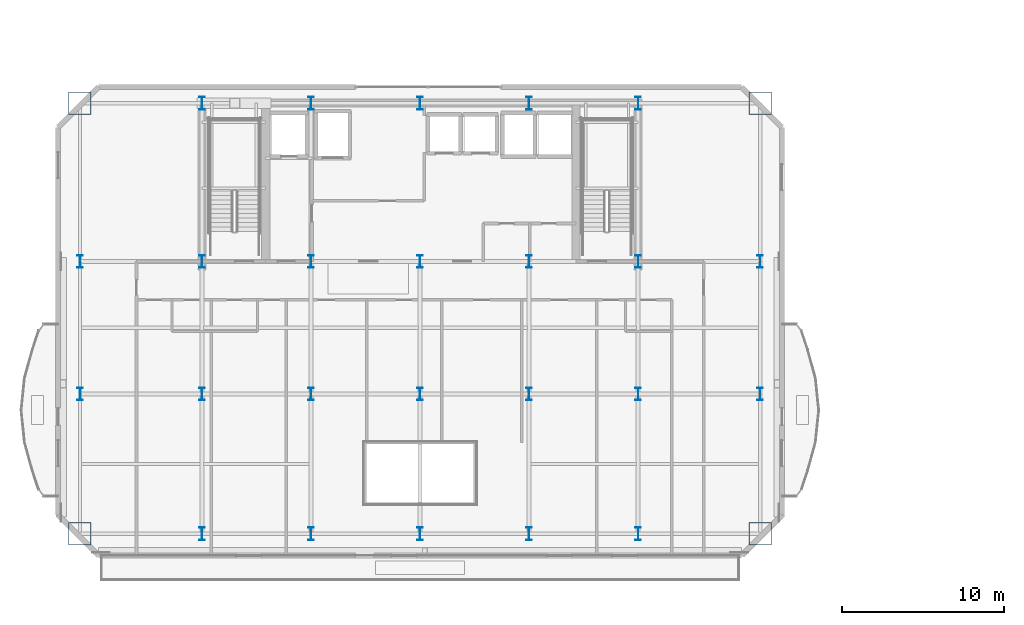
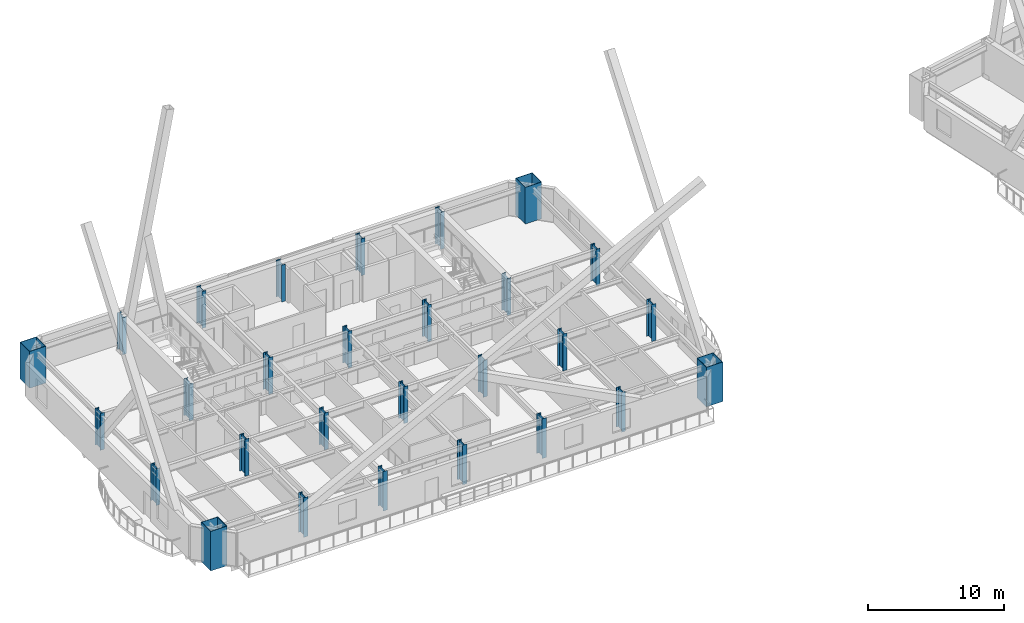
# One storey, part 1 of 22: 28 columns.
"""IFC4 building model written with IfcOpenShell, lengths in metres."""

from ifc_helpers import new_model, si_unit, direction, frame, origin, origin_2d, place, context, subcontext, project, spatial, hollow_rectangle, i_section, extrude, material, material_profile, profile_set, type_object, element, save


model = new_model("IFC4")

# Units and contexts
model_context = context("Model", 3, precision=1e-05, world=origin(), true_north=direction((0.0, 1.0)))
body_context = subcontext(model_context, "Body", "Model", "MODEL_VIEW")
ifc_project = project(units=[si_unit("LENGTHUNIT", "METRE"), si_unit("AREAUNIT", "SQUARE_METRE"), si_unit("VOLUMEUNIT", "CUBIC_METRE"), si_unit("PLANEANGLEUNIT", "RADIAN"), si_unit("MASSUNIT", "GRAM", prefix="KILO")], contexts=[model_context])

# Site, building, storey
site_placement = place(None, origin())
site = spatial("IfcSite", under=ifc_project, at=site_placement, CompositionType="ELEMENT")
building_placement = place(site_placement, origin())
building = spatial("IfcBuilding", under=site, at=building_placement, Name="Haevon Station Towers", CompositionType="ELEMENT")
storey_placement = place(building_placement, frame((0.0, 0.0, 113.10009765625)))
storey = spatial("IfcBuildingStorey", under=building, at=storey_placement, Name="L30", CompositionType="ELEMENT", Elevation=113.10009765625)

# Columns
ifc_material = material(Name="Steel S460", Category="steel")
ifc_material_profile_1 = material_profile(ifc_material, hollow_rectangle(XDim=1.39990234375, YDim=1.39990234375, WallThickness=0.035888671875, at=origin_2d()), Name="BOX-1400x1400x36")
ifc_profile_set_1 = profile_set([ifc_material_profile_1], Name="Steel S460")
column_type_1 = type_object("IfcColumnType", Name="COL-MC3", PredefinedType="COLUMN", material=ifc_profile_set_1)
column_1_placement = place(storey_placement, frame((16.449951171875, 21.35009765625, -0.25), z_axis=(0.0, 0.0, 1.0), x_axis=(1.0, 0.0, 0.0)))
element("IfcColumn", 1, at=column_1_placement, inside=storey, type_object=column_type_1, Name="COL-T1-L30-01-01", PredefinedType="COLUMN", context=body_context, shape_type="SweptSolid", body=[
    extrude(hollow_rectangle(XDim=1.39990234375, YDim=1.39990234375, WallThickness=0.035888671875, at=origin_2d()), origin(), (0.0, 0.0, 1.0), 3.5498046875),
])
column_2_placement = place(storey_placement, frame((16.449951171875, 48.0, 0.0), z_axis=(0.0, 0.0, 1.0), x_axis=(1.0, 0.0, 0.0)))
element("IfcColumn", 2, at=column_2_placement, inside=storey, type_object=column_type_1, Name="COL-T1-L30-01-04", PredefinedType="COLUMN", context=body_context, shape_type="SweptSolid", body=[
    extrude(hollow_rectangle(XDim=1.39990234375, YDim=1.39990234375, WallThickness=0.035888671875, at=origin_2d()), origin(), (0.0, 0.0, 1.0), 3.2998046875),
])
column_3_placement = place(storey_placement, frame((58.550048828125, 21.35009765625, -0.25), z_axis=(0.0, 0.0, 1.0), x_axis=(1.0, 0.0, 0.0)))
element("IfcColumn", 3, at=column_3_placement, inside=storey, type_object=column_type_1, Name="COL-T1-L30-07-01", PredefinedType="COLUMN", context=body_context, shape_type="SweptSolid", body=[
    extrude(hollow_rectangle(XDim=1.39990234375, YDim=1.39990234375, WallThickness=0.035888671875, at=origin_2d()), origin(), (0.0, 0.0, 1.0), 3.5498046875),
])
column_4_placement = place(storey_placement, frame((58.550048828125, 48.0, 0.0), z_axis=(0.0, 0.0, 1.0), x_axis=(1.0, 0.0, 0.0)))
element("IfcColumn", 4, at=column_4_placement, inside=storey, type_object=column_type_1, Name="COL-T1-L30-07-04", PredefinedType="COLUMN", context=body_context, shape_type="SweptSolid", body=[
    extrude(hollow_rectangle(XDim=1.39990234375, YDim=1.39990234375, WallThickness=0.035888671875, at=origin_2d()), origin(), (0.0, 0.0, 1.0), 3.2998046875),
])
ifc_material_profile_2 = material_profile(ifc_material, i_section(OverallWidth=0.35009765625, OverallDepth=0.800048828125, WebThickness=0.01806640625, FlangeThickness=0.031982421875, at=origin_2d()), Name="H-800x350x18x32")
ifc_profile_set_2 = profile_set([ifc_material_profile_2], Name="Steel S460")
column_type_2 = type_object("IfcColumnType", Name="COL-TW2", PredefinedType="COLUMN", material=ifc_profile_set_2)
for number, where, z_axis, x_axis, name in (
    (5, (16.449951171875, 30.0, 0.0), (0.0, 0.0, 1.0), (1.0, 0.0, 0.0), "COL-T1-L30-01-02"),
    (6, (16.449951171875, 38.199951171875, 0.0), (0.0, 0.0, 1.0), (1.0, 0.0, 0.0), "COL-T1-L30-01-03"),
):
    element("IfcColumn", number, at=place(storey_placement, frame(where, z_axis=z_axis, x_axis=x_axis)), inside=storey, type_object=column_type_2, Name=name, PredefinedType="COLUMN", context=body_context, shape_type="SweptSolid", body=[
        extrude(i_section(OverallWidth=0.35009765625, OverallDepth=0.800048828125, WebThickness=0.01806640625, FlangeThickness=0.031982421875, at=origin_2d()), origin(), (0.0, 0.0, 1.0), 3.2998046875),
    ])
column_5_placement = place(storey_placement, frame((24.0, 21.35009765625, -0.25), z_axis=(0.0, 0.0, 1.0), x_axis=(1.0, 0.0, 0.0)))
element("IfcColumn", 7, at=column_5_placement, inside=storey, type_object=column_type_2, Name="COL-T1-L30-02-01", PredefinedType="COLUMN", context=body_context, shape_type="SweptSolid", body=[
    extrude(i_section(OverallWidth=0.35009765625, OverallDepth=0.800048828125, WebThickness=0.01806640625, FlangeThickness=0.031982421875, at=origin_2d()), origin(), (0.0, 0.0, 1.0), 3.5498046875),
])
for number, where, z_axis, x_axis, name in (
    (8, (24.0, 30.0, 0.0), (0.0, 0.0, 1.0), (1.0, 0.0, 0.0), "COL-T1-L30-02-02"),
    (9, (24.0, 38.199951171875, 0.0), (0.0, 0.0, 1.0), (1.0, 0.0, 0.0), "COL-T1-L30-02-03"),
    (10, (24.0, 48.0, 0.0), (0.0, 0.0, 1.0), (1.0, 0.0, 0.0), "COL-T1-L30-02-04"),
):
    element("IfcColumn", number, at=place(storey_placement, frame(where, z_axis=z_axis, x_axis=x_axis)), inside=storey, type_object=column_type_2, Name=name, PredefinedType="COLUMN", context=body_context, shape_type="SweptSolid", body=[
        extrude(i_section(OverallWidth=0.35009765625, OverallDepth=0.800048828125, WebThickness=0.01806640625, FlangeThickness=0.031982421875, at=origin_2d()), origin(), (0.0, 0.0, 1.0), 3.2998046875),
    ])
column_6_placement = place(storey_placement, frame((30.75, 21.35009765625, -0.25), z_axis=(0.0, 0.0, 1.0), x_axis=(1.0, 0.0, 0.0)))
element("IfcColumn", 11, at=column_6_placement, inside=storey, type_object=column_type_2, Name="COL-T1-L30-03-01", PredefinedType="COLUMN", context=body_context, shape_type="SweptSolid", body=[
    extrude(i_section(OverallWidth=0.35009765625, OverallDepth=0.800048828125, WebThickness=0.01806640625, FlangeThickness=0.031982421875, at=origin_2d()), origin(), (0.0, 0.0, 1.0), 3.5498046875),
])
for number, where, z_axis, x_axis, name in (
    (12, (30.75, 30.0, 0.0), (0.0, 0.0, 1.0), (1.0, 0.0, 0.0), "COL-T1-L30-03-02"),
    (13, (30.75, 38.199951171875, 0.0), (0.0, 0.0, 1.0), (1.0, 0.0, 0.0), "COL-T1-L30-03-03"),
    (14, (30.75, 48.0, 0.0), (0.0, 0.0, 1.0), (1.0, 0.0, 0.0), "COL-T1-L30-03-04"),
):
    element("IfcColumn", number, at=place(storey_placement, frame(where, z_axis=z_axis, x_axis=x_axis)), inside=storey, type_object=column_type_2, Name=name, PredefinedType="COLUMN", context=body_context, shape_type="SweptSolid", body=[
        extrude(i_section(OverallWidth=0.35009765625, OverallDepth=0.800048828125, WebThickness=0.01806640625, FlangeThickness=0.031982421875, at=origin_2d()), origin(), (0.0, 0.0, 1.0), 3.2998046875),
    ])
column_7_placement = place(storey_placement, frame((37.5, 21.35009765625, -0.25), z_axis=(0.0, 0.0, 1.0), x_axis=(1.0, 0.0, 0.0)))
element("IfcColumn", 15, at=column_7_placement, inside=storey, type_object=column_type_2, Name="COL-T1-L30-04-01", PredefinedType="COLUMN", context=body_context, shape_type="SweptSolid", body=[
    extrude(i_section(OverallWidth=0.35009765625, OverallDepth=0.800048828125, WebThickness=0.01806640625, FlangeThickness=0.031982421875, at=origin_2d()), origin(), (0.0, 0.0, 1.0), 3.5498046875),
])
for number, where, z_axis, x_axis, name in (
    (16, (37.5, 30.0, 0.0), (0.0, 0.0, 1.0), (1.0, 0.0, 0.0), "COL-T1-L30-04-02"),
    (17, (37.5, 38.199951171875, 0.0), (0.0, 0.0, 1.0), (1.0, 0.0, 0.0), "COL-T1-L30-04-03"),
    (18, (37.5, 48.0, 0.0), (0.0, 0.0, 1.0), (1.0, 0.0, 0.0), "COL-T1-L30-04-04"),
):
    element("IfcColumn", number, at=place(storey_placement, frame(where, z_axis=z_axis, x_axis=x_axis)), inside=storey, type_object=column_type_2, Name=name, PredefinedType="COLUMN", context=body_context, shape_type="SweptSolid", body=[
        extrude(i_section(OverallWidth=0.35009765625, OverallDepth=0.800048828125, WebThickness=0.01806640625, FlangeThickness=0.031982421875, at=origin_2d()), origin(), (0.0, 0.0, 1.0), 3.2998046875),
    ])
column_8_placement = place(storey_placement, frame((44.25, 21.35009765625, -0.25), z_axis=(0.0, 0.0, 1.0), x_axis=(1.0, 0.0, 0.0)))
element("IfcColumn", 19, at=column_8_placement, inside=storey, type_object=column_type_2, Name="COL-T1-L30-05-01", PredefinedType="COLUMN", context=body_context, shape_type="SweptSolid", body=[
    extrude(i_section(OverallWidth=0.35009765625, OverallDepth=0.800048828125, WebThickness=0.01806640625, FlangeThickness=0.031982421875, at=origin_2d()), origin(), (0.0, 0.0, 1.0), 3.5498046875),
])
for number, where, z_axis, x_axis, name in (
    (20, (44.25, 30.0, 0.0), (0.0, 0.0, 1.0), (1.0, 0.0, 0.0), "COL-T1-L30-05-02"),
    (21, (44.25, 38.199951171875, 0.0), (0.0, 0.0, 1.0), (1.0, 0.0, 0.0), "COL-T1-L30-05-03"),
    (22, (44.25, 48.0, 0.0), (0.0, 0.0, 1.0), (1.0, 0.0, 0.0), "COL-T1-L30-05-04"),
):
    element("IfcColumn", number, at=place(storey_placement, frame(where, z_axis=z_axis, x_axis=x_axis)), inside=storey, type_object=column_type_2, Name=name, PredefinedType="COLUMN", context=body_context, shape_type="SweptSolid", body=[
        extrude(i_section(OverallWidth=0.35009765625, OverallDepth=0.800048828125, WebThickness=0.01806640625, FlangeThickness=0.031982421875, at=origin_2d()), origin(), (0.0, 0.0, 1.0), 3.2998046875),
    ])
column_9_placement = place(storey_placement, frame((51.0, 21.35009765625, -0.25), z_axis=(0.0, 0.0, 1.0), x_axis=(1.0, 0.0, 0.0)))
element("IfcColumn", 23, at=column_9_placement, inside=storey, type_object=column_type_2, Name="COL-T1-L30-06-01", PredefinedType="COLUMN", context=body_context, shape_type="SweptSolid", body=[
    extrude(i_section(OverallWidth=0.35009765625, OverallDepth=0.800048828125, WebThickness=0.01806640625, FlangeThickness=0.031982421875, at=origin_2d()), origin(), (0.0, 0.0, 1.0), 3.5498046875),
])
for number, where, z_axis, x_axis, name in (
    (24, (51.0, 30.0, 0.0), (0.0, 0.0, 1.0), (1.0, 0.0, 0.0), "COL-T1-L30-06-02"),
    (25, (51.0, 38.199951171875, 0.0), (0.0, 0.0, 1.0), (1.0, 0.0, 0.0), "COL-T1-L30-06-03"),
    (26, (51.0, 48.0, 0.0), (0.0, 0.0, 1.0), (1.0, 0.0, 0.0), "COL-T1-L30-06-04"),
    (27, (58.550048828125, 30.0, 0.0), (0.0, 0.0, 1.0), (1.0, 0.0, 0.0), "COL-T1-L30-07-02"),
    (28, (58.550048828125, 38.199951171875, 0.0), (0.0, 0.0, 1.0), (1.0, 0.0, 0.0), "COL-T1-L30-07-03"),
):
    element("IfcColumn", number, at=place(storey_placement, frame(where, z_axis=z_axis, x_axis=x_axis)), inside=storey, type_object=column_type_2, Name=name, PredefinedType="COLUMN", context=body_context, shape_type="SweptSolid", body=[
        extrude(i_section(OverallWidth=0.35009765625, OverallDepth=0.800048828125, WebThickness=0.01806640625, FlangeThickness=0.031982421875, at=origin_2d()), origin(), (0.0, 0.0, 1.0), 3.2998046875),
    ])

save(model, "model.ifc")
